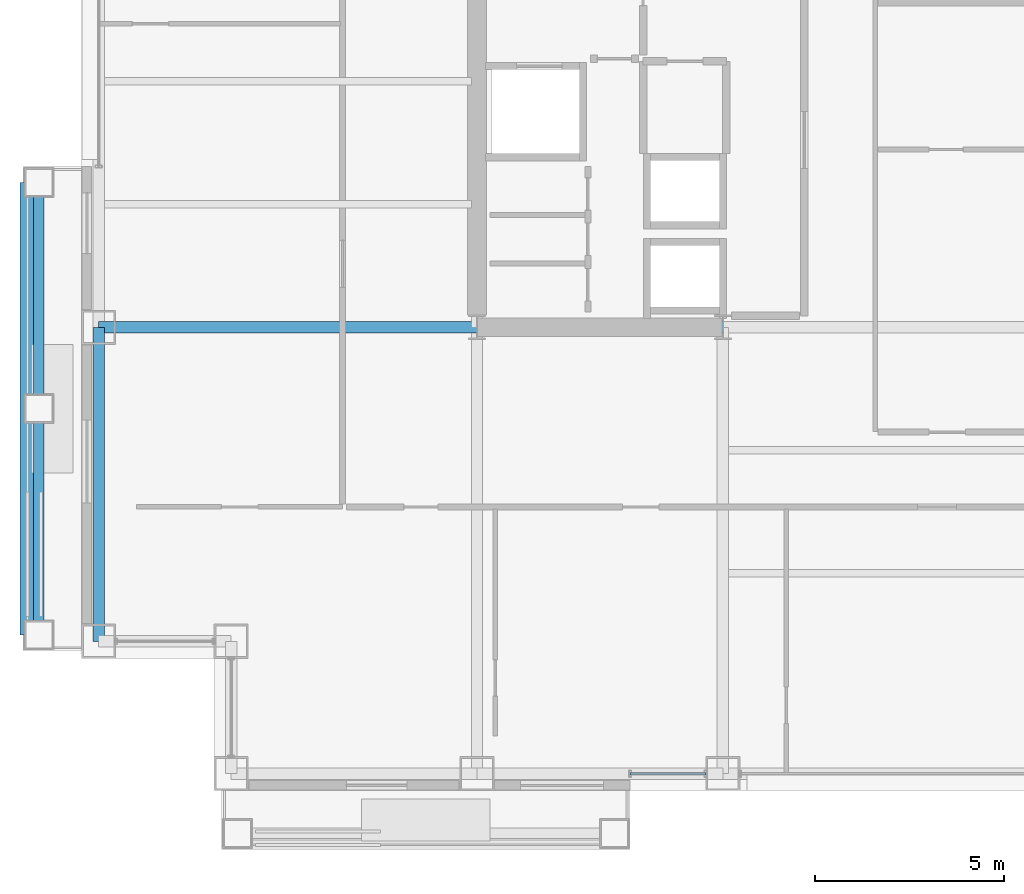
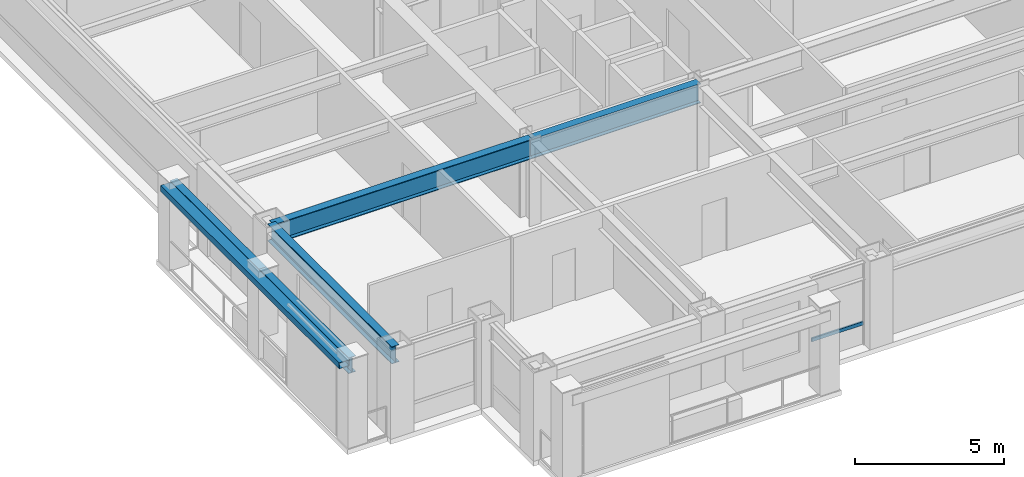
# One storey, part 4 of 30: 5 beams, 2 members, 1 element without a shape of its own.
"""IFC4 building model written with IfcOpenShell, lengths in metres."""

from ifc_helpers import new_model, si_unit, direction, frame, origin, origin_2d, place, context, subcontext, project, spatial, hollow_rectangle, i_section, extrude, material, layer, layer_set, material_profile, profile_set, type_object, element, aggregate, save


model = new_model("IFC4")

# Units and contexts
model_context = context("Model", 3, precision=1e-05, world=origin(), true_north=direction((0.0, 1.0)))
body_context = subcontext(model_context, "Body", "Model", "MODEL_VIEW")
ifc_project = project(units=[si_unit("LENGTHUNIT", "METRE"), si_unit("AREAUNIT", "SQUARE_METRE"), si_unit("VOLUMEUNIT", "CUBIC_METRE"), si_unit("PLANEANGLEUNIT", "RADIAN"), si_unit("MASSUNIT", "GRAM", prefix="KILO")], contexts=[model_context])

# Site, building, storey
site_placement = place(None, origin())
site = spatial("IfcSite", under=ifc_project, at=site_placement, CompositionType="ELEMENT")
building_placement = place(site_placement, origin())
building = spatial("IfcBuilding", under=site, at=building_placement, Name="Brelmoor Portico Tower", CompositionType="ELEMENT")
storey_placement = place(building_placement, frame((0.0, 0.0, 74.39990234375)))
storey = spatial("IfcBuildingStorey", under=building, at=storey_placement, Name="L19", CompositionType="ELEMENT", Elevation=74.39990234375)

# Beams
ifc_material_1 = material(Name="Steel Q355B", Category="steel")
ifc_material_profile_1 = material_profile(ifc_material_1, i_section(OverallWidth=0.300048828125, OverallDepth=0.800048828125, WebThickness=0.013916015625, FlangeThickness=0.02587890625, at=origin_2d()), Name="HN 800x300x14x26")
ifc_profile_set_1 = profile_set([ifc_material_profile_1], Name="Steel Q355B")
beam_type_1 = type_object("IfcBeamType", Name="BM-PG-800", PredefinedType="BEAM", material=ifc_profile_set_1)
beam_1_placement = place(storey_placement, frame((-24.550048828125, -9.75, 3.0), z_axis=(1.0, 0.0, 0.0), x_axis=(0.0, 1.0, 0.0)))
element("IfcBeam", 1, at=beam_1_placement, inside=storey, type_object=beam_type_1, Name="L19 Primary Floor Girder PG-19", PredefinedType="BEAM", context=body_context, shape_type="SweptSolid", body=[
    extrude(i_section(OverallWidth=0.300048828125, OverallDepth=0.800048828125, WebThickness=0.013916015625, FlangeThickness=0.02587890625, at=origin_2d()), origin(), (0.0, 0.0, 1.0), 10.0),
])
beam_2_placement = place(storey_placement, frame((-14.550048828125, -9.75, 3.0), z_axis=(1.0, 0.0, 0.0), x_axis=(0.0, 1.0, 0.0)))
element("IfcBeam", 2, at=beam_2_placement, inside=storey, type_object=beam_type_1, Name="L19 Primary Floor Girder PG-20", PredefinedType="BEAM", context=body_context, shape_type="SweptSolid", body=[
    extrude(i_section(OverallWidth=0.300048828125, OverallDepth=0.800048828125, WebThickness=0.013916015625, FlangeThickness=0.02587890625, at=origin_2d()), origin(), (0.0, 0.0, 1.0), 6.5),
])
ifc_material_profile_2 = material_profile(ifc_material_1, i_section(OverallWidth=0.280029296875, OverallDepth=0.64990234375, WebThickness=0.012939453125, FlangeThickness=0.02197265625, at=origin_2d()), Name="HN 650x280x13x22")
ifc_profile_set_2 = profile_set([ifc_material_profile_2], Name="Steel Q355B")
beam_type_2 = type_object("IfcBeamType", Name="BM-SP-650", PredefinedType="SPANDREL", material=ifc_profile_set_2)
for number, where, z_axis, x_axis, name in (
    (3, (-26.1298828125, -17.8798828125, 3.0751953125), (0.0, 1.0, 0.0), (-1.0, 0.0, 0.0), "L19 Picture-Frame Perimeter Lintel Beam W1"),
    (4, (-26.1298828125, -11.89990234375, 3.0751953125), (0.0, 1.0, 0.0), (-1.0, 0.0, 0.0), "L19 Picture-Frame Perimeter Lintel Beam W2"),
):
    element("IfcBeam", number, at=place(storey_placement, frame(where, z_axis=z_axis, x_axis=x_axis)), inside=storey, type_object=beam_type_2, Name=name, PredefinedType="SPANDREL", context=body_context, shape_type="SweptSolid", body=[
        extrude(i_section(OverallWidth=0.280029296875, OverallDepth=0.64990234375, WebThickness=0.012939453125, FlangeThickness=0.02197265625, at=origin_2d()), origin(), (0.0, 0.0, 1.0), 5.97998046875),
    ])
ifc_material_profile_3 = material_profile(ifc_material_1, i_section(OverallWidth=0.300048828125, OverallDepth=0.699951171875, WebThickness=0.012939453125, FlangeThickness=0.02392578125, at=origin_2d()), Name="HN 700x300x13x24")
ifc_profile_set_3 = profile_set([ifc_material_profile_3], Name="Steel Q355B")
beam_type_3 = type_object("IfcBeamType", Name="BM-SP-700", PredefinedType="SPANDREL", material=ifc_profile_set_3)
beam_3_placement = place(storey_placement, frame((-24.550048828125, -18.050048828125, 3.050048828125), z_axis=(0.0, 1.0, 0.0), x_axis=(-1.0, 0.0, 0.0)))
element("IfcBeam", 5, at=beam_3_placement, inside=storey, type_object=beam_type_3, Name="L19 Perimeter Spandrel Beam SP-15", PredefinedType="SPANDREL", context=body_context, shape_type="SweptSolid", body=[
    extrude(i_section(OverallWidth=0.300048828125, OverallDepth=0.699951171875, WebThickness=0.012939453125, FlangeThickness=0.02392578125, at=origin_2d()), origin(), (0.0, 0.0, 1.0), 8.300048828125),
])

# Curtain wall, member
ifc_material_2 = material(Name="Anodised Aluminium Alloy 6063-T6", Category="aluminium")
ifc_layer = layer(ifc_material_2, 0.179931640625)
ifc_layer_set = layer_set([ifc_layer], Name="Anodised Aluminium Alloy 6063-T6")
curtain_wall_type = type_object("IfcCurtainWallType", Name="CW-TOWER-Z1", PredefinedType="NOTDEFINED", material=ifc_layer_set)
curtain_wall_placement = place(storey_placement, origin())
curtain_wall = element("IfcCurtainWall", 6, at=curtain_wall_placement, inside=storey, type_object=curtain_wall_type, Name="L19 Curtain Wall CW-L19-1R-1", PredefinedType="NOTDEFINED")
ifc_material_profile_4 = material_profile(ifc_material_2, hollow_rectangle(XDim=0.06494140625, YDim=0.139892578125, WallThickness=0.00390625, at=origin_2d()), Name="ALU TRANSOM 65x140")
ifc_profile_set_4 = profile_set([ifc_material_profile_4], Name="Anodised Aluminium Alloy 6063-T6")
member_type_1 = type_object("IfcMemberType", Name="MB-CW-TRAN-140", PredefinedType="USERDEFINED", material=ifc_profile_set_4)
member_1_placement = place(storey_placement, frame((-10.5, -21.550048828125, 0.85009765625), z_axis=(1.0, 0.0, 0.0), x_axis=(0.0, 1.0, 0.0)))
member_1 = element("IfcMember", 7, at=member_1_placement, type_object=member_type_1, Name="CW-L19-1R-1 Transom 1-00", ObjectType="TRANSOM", PredefinedType="USERDEFINED", context=body_context, shape_type="SweptSolid", body=[
    extrude(hollow_rectangle(XDim=0.06494140625, YDim=0.139892578125, WallThickness=0.00390625, at=origin_2d()), origin(), (0.0, 0.0, 1.0), 1.989990234375),
])
aggregate(curtain_wall, [member_1])

# Member
ifc_material_3 = material(Name="Pale Champagne Fluoropolymer-Coated Steel Q355B", Category="steel")
ifc_material_profile_5 = material_profile(ifc_material_3, hollow_rectangle(XDim=0.25, YDim=0.39990234375, WallThickness=0.013916015625, at=origin_2d()), Name="RHS 250x400x14")
ifc_profile_set_5 = profile_set([ifc_material_profile_5], Name="Pale Champagne Fluoropolymer-Coated Steel Q355B")
member_type_2 = type_object("IfcMemberType", Name="MB-PF-HEADER", PredefinedType="MEMBER", material=ifc_profile_set_5)
member_2_placement = place(storey_placement, frame((-26.429931640625, -17.8798828125, 3.2001953125), z_axis=(0.0, 1.0, 0.0), x_axis=(0.0, 0.0, 1.0)))
element("IfcMember", 8, at=member_2_placement, inside=storey, type_object=member_type_2, Name="L19 Picture-Frame Header W", PredefinedType="MEMBER", context=body_context, shape_type="SweptSolid", body=[
    extrude(hollow_rectangle(XDim=0.25, YDim=0.39990234375, WallThickness=0.013916015625, at=origin_2d()), origin(), (0.0, 0.0, 1.0), 11.9599609375),
])

save(model, "model.ifc")
